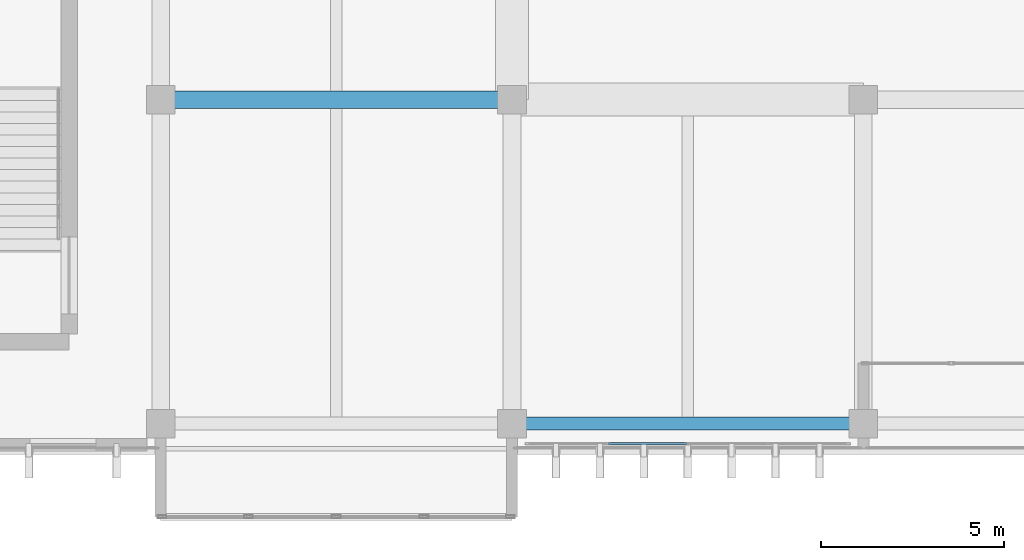
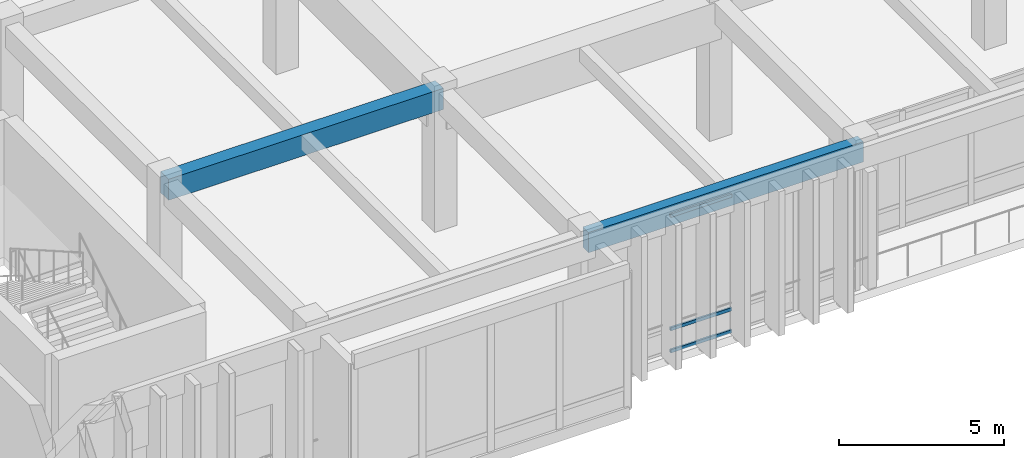
# One storey, part 14 of 134: 3 members, 2 beams, 1 element without a shape of its own.
"""IFC4 building model written with IfcOpenShell, lengths in metres."""

from ifc_helpers import new_model, si_unit, direction, frame, origin, origin_2d, place, context, subcontext, project, spatial, rectangle, hollow_rectangle, extrude, material, layer, layer_set, material_profile, profile_set, type_object, element, aggregate, save


model = new_model("IFC4")

# Units and contexts
model_context = context("Model", 3, precision=1e-05, world=origin(), true_north=direction((0.0, 1.0)))
body_context = subcontext(model_context, "Body", "Model", "MODEL_VIEW")
ifc_project = project(units=[si_unit("LENGTHUNIT", "METRE"), si_unit("AREAUNIT", "SQUARE_METRE"), si_unit("VOLUMEUNIT", "CUBIC_METRE"), si_unit("PLANEANGLEUNIT", "RADIAN"), si_unit("MASSUNIT", "GRAM", prefix="KILO")], contexts=[model_context])

# Site, building, storey
site_placement = place(None, origin())
site = spatial("IfcSite", under=ifc_project, at=site_placement, CompositionType="ELEMENT")
building_placement = place(site_placement, origin())
building = spatial("IfcBuilding", under=site, at=building_placement, Name="Nakhvara Creek Congress Hotel", CompositionType="ELEMENT")
storey_placement = place(building_placement, frame((0.0, 0.0, 6.0)))
storey = spatial("IfcBuildingStorey", under=building, at=storey_placement, Name="L01", CompositionType="ELEMENT", Elevation=6.0)

# Beams
ifc_material_1 = material(Name="Concrete C40/50", Category="concrete")
ifc_material_profile_1 = material_profile(ifc_material_1, rectangle(XDim=0.47998046875, YDim=0.780029296875, at=origin_2d()), Name="RC-BM 480x780", Category="LoadBearing")
ifc_profile_set_1 = profile_set([ifc_material_profile_1], Name="Concrete C40/50")
beam_type_1 = type_object("IfcBeamType", Name="BM-RC-480X780", PredefinedType="BEAM", material=ifc_profile_set_1)
beam_1_placement = place(storey_placement, frame((67.199951171875, 9.60009765625, 4.7099609375), z_axis=(1.0, 0.0, 0.0), x_axis=(0.0, 1.0, 0.0)))
element("IfcBeam", 1, at=beam_1_placement, inside=storey, type_object=beam_type_1, Name="Beam B13-L01-1139", PredefinedType="BEAM", context=body_context, shape_type="SweptSolid", body=[
    extrude(rectangle(XDim=0.47998046875, YDim=0.780029296875, at=origin_2d()), origin(), (0.0, 0.0, 1.0), 9.60009765625),
])
ifc_material_profile_2 = material_profile(ifc_material_1, rectangle(XDim=0.35009765625, YDim=0.75, at=origin_2d()), Name="RC-SPANDREL 350x750", Category="LoadBearing")
ifc_profile_set_2 = profile_set([ifc_material_profile_2], Name="Concrete C40/50")
beam_type_2 = type_object("IfcBeamType", Name="BM-SPN-350X750", PredefinedType="SPANDREL", material=ifc_profile_set_2)
beam_2_placement = place(storey_placement, frame((76.800048828125, 0.75, 4.72509765625), z_axis=(1.0, 0.0, 0.0), x_axis=(0.0, 1.0, 0.0)))
element("IfcBeam", 2, at=beam_2_placement, inside=storey, type_object=beam_type_2, Name="Beam SP1-L01-1146", PredefinedType="SPANDREL", context=body_context, shape_type="SweptSolid", body=[
    extrude(rectangle(XDim=0.35009765625, YDim=0.75, at=origin_2d()), origin(), (0.0, 0.0, 1.0), 9.599853515625),
])

# Curtain wall, members
ifc_material_2 = material(Name="Bronze-anodised aluminium AW-6063-T6 and double-silver low-E glass", Category="aluminium")
ifc_layer = layer(ifc_material_2, 0.199951171875)
ifc_layer_set = layer_set([ifc_layer], Name="Bronze-anodised aluminium AW-6063-T6 and double-silver low-E glass")
curtain_wall_type = type_object("IfcCurtainWallType", Name="CW-SPA-STICK", PredefinedType="NOTDEFINED", material=ifc_layer_set)
curtain_wall_placement = place(storey_placement, origin())
curtain_wall = element("IfcCurtainWall", 3, at=curtain_wall_placement, inside=storey, type_object=curtain_wall_type, Name="Curtain Wall CW077", PredefinedType="NOTDEFINED")
ifc_material_3 = material(Name="Bronze-anodised aluminium AW-6063-T6", Category="aluminium")
ifc_material_profile_3 = material_profile(ifc_material_3, hollow_rectangle(XDim=0.06494140625, YDim=0.1201171875, WallThickness=0.00390625, at=origin_2d()), Name="ALU-TRAN 65x120x4", Category="LoadBearing")
ifc_profile_set_3 = profile_set([ifc_material_profile_3], Name="Bronze-anodised aluminium AW-6063-T6")
member_type = type_object("IfcMemberType", Name="CW-TRAN-120", PredefinedType="USERDEFINED", material=ifc_profile_set_3)
member_1_placement = place(storey_placement, frame((81.5673828125, 0.199951171875, 0.032470703125), z_axis=(-1.0, 0.0, 0.0), x_axis=(0.0, -1.0, 0.0)))
member_1 = element("IfcMember", 4, at=member_1_placement, type_object=member_type, Name="CW077 transom 3.1", ObjectType="TRANSOM", PredefinedType="USERDEFINED", context=body_context, shape_type="SweptSolid", body=[
    extrude(hollow_rectangle(XDim=0.06494140625, YDim=0.1201171875, WallThickness=0.00390625, at=origin_2d()), origin(), (0.0, 0.0, 1.0), 2.13232421875),
])
member_2_placement = place(storey_placement, frame((81.5673828125, 0.199951171875, 0.85009765625), z_axis=(-1.0, 0.0, 0.0), x_axis=(0.0, -1.0, 0.0)))
member_2 = element("IfcMember", 5, at=member_2_placement, type_object=member_type, Name="CW077 transom 3.2", ObjectType="TRANSOM", PredefinedType="USERDEFINED", context=body_context, shape_type="SweptSolid", body=[
    extrude(hollow_rectangle(XDim=0.06494140625, YDim=0.1201171875, WallThickness=0.00390625, at=origin_2d()), origin(), (0.0, 0.0, 1.0), 2.13232421875),
])
member_3_placement = place(storey_placement, frame((81.5673828125, 0.199951171875, 5.03759765625), z_axis=(-1.0, 0.0, 0.0), x_axis=(0.0, -1.0, 0.0)))
member_3 = element("IfcMember", 6, at=member_3_placement, type_object=member_type, Name="CW077 transom 3.3", ObjectType="TRANSOM", PredefinedType="USERDEFINED", context=body_context, shape_type="SweptSolid", body=[
    extrude(hollow_rectangle(XDim=0.06494140625, YDim=0.1201171875, WallThickness=0.00390625, at=origin_2d()), origin(), (0.0, 0.0, 1.0), 2.13232421875),
])
aggregate(curtain_wall, [member_1, member_2, member_3])

save(model, "model.ifc")
